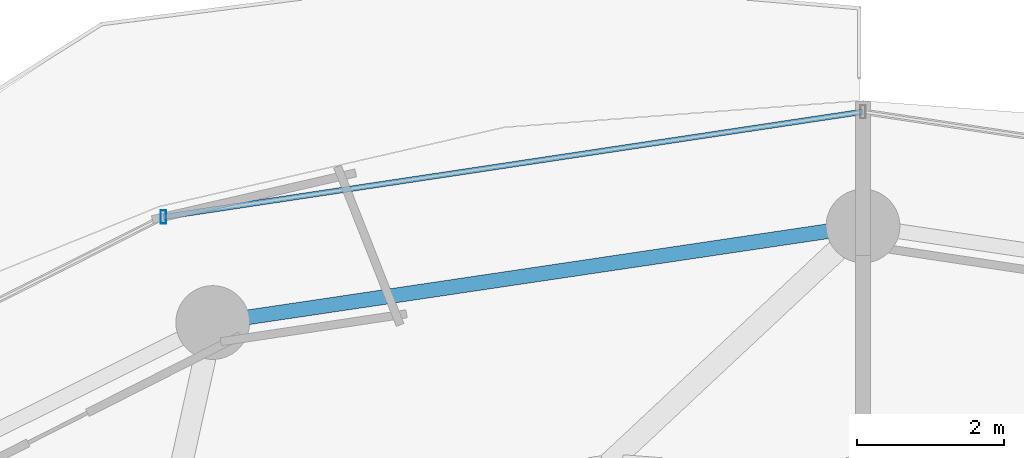
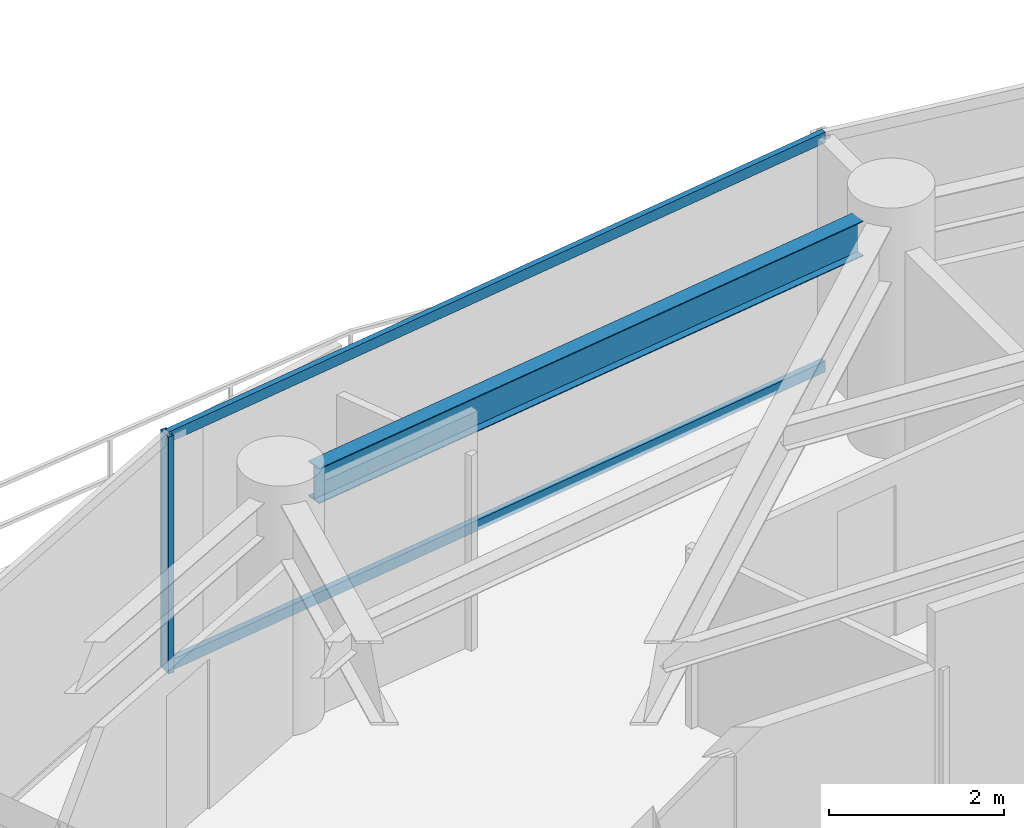
# One storey, part 18 of 31: 3 members, 1 beam, 1 element without a shape of its own.
"""IFC4 building model written with IfcOpenShell, lengths in metres."""

from ifc_helpers import new_model, si_unit, direction, frame, origin, origin_2d, place, context, subcontext, project, spatial, hollow_rectangle, i_section, extrude, material, material_profile, profile_set, type_object, element, aggregate, save


model = new_model("IFC4")

# Units and contexts
model_context = context("Model", 3, precision=1e-05, world=origin(), true_north=direction((0.0, 1.0)))
body_context = subcontext(model_context, "Body", "Model", "MODEL_VIEW")
ifc_project = project(units=[si_unit("LENGTHUNIT", "METRE"), si_unit("AREAUNIT", "SQUARE_METRE"), si_unit("VOLUMEUNIT", "CUBIC_METRE"), si_unit("PLANEANGLEUNIT", "RADIAN"), si_unit("MASSUNIT", "GRAM", prefix="KILO")], contexts=[model_context])

# Site, building, storey
site_placement = place(None, origin())
site = spatial("IfcSite", under=ifc_project, at=site_placement, CompositionType="ELEMENT")
building_placement = place(site_placement, origin())
building = spatial("IfcBuilding", under=site, at=building_placement, Name="Vorneva Point Tower", CompositionType="ELEMENT")
storey_placement = place(building_placement, frame((0.0, 0.0, 129.10009765625)))
storey = spatial("IfcBuildingStorey", under=building, at=storey_placement, Name="L34", CompositionType="ELEMENT", Elevation=129.10009765625)

# Beam
ifc_material_1 = material(Name="Steel S355", Category="steel")
ifc_material_profile_1 = material_profile(ifc_material_1, i_section(OverallWidth=0.199951171875, OverallDepth=0.491943359375, WebThickness=0.0087890625, FlangeThickness=0.011962890625, at=origin_2d()), Name="50B1")
ifc_profile_set_1 = profile_set([ifc_material_profile_1], Name="Steel S355")
beam_type = type_object("IfcBeamType", Name="BM-SPN-50B1", PredefinedType="SPANDREL", material=ifc_profile_set_1)
beam_placement = place(storey_placement, frame((37.520263671875, 43.12890625, 2.993896484375), z_axis=(-0.989161199046, -0.146833655211, 0.0), x_axis=(0.146833655211, -0.989161199046, 0.0)))
element("IfcBeam", 1, at=beam_placement, inside=storey, type_object=beam_type, Name="L34 Perimeter Spandrel Ring Beam 05", PredefinedType="SPANDREL", context=body_context, shape_type="SweptSolid", body=[
    extrude(i_section(OverallWidth=0.199951171875, OverallDepth=0.491943359375, WebThickness=0.0087890625, FlangeThickness=0.011962890625, at=origin_2d()), origin(), (0.0, 0.0, 1.0), 7.94775390625),
])

# Curtain wall, members
ifc_material_2 = material(Name="Pale anodised aluminium", Category="aluminium")
curtain_wall_type = type_object("IfcCurtainWallType", Name="CW-RES-SYS", PredefinedType="NOTDEFINED", material=ifc_material_2)
curtain_wall_placement = place(storey_placement, origin())
curtain_wall = element("IfcCurtainWall", 2, at=curtain_wall_placement, inside=storey, type_object=curtain_wall_type, Name="L34 Unitised Curtain Wall CW-L34-R02", PredefinedType="NOTDEFINED")
ifc_material_profile_2 = material_profile(ifc_material_2, hollow_rectangle(XDim=0.074951171875, YDim=0.179931640625, WallThickness=0.00390625, at=origin_2d()), Name="AL-MUL 180x75x4")
ifc_profile_set_2 = profile_set([ifc_material_profile_2], Name="Pale anodised aluminium")
member_type_1 = type_object("IfcMemberType", Name="CW-MUL-180", PredefinedType="MULLION", material=ifc_profile_set_2)
member_1_placement = place(storey_placement, frame((28.509521484375, 43.32275390625, -0.0400390625), z_axis=(0.0, 0.0, 1.0), x_axis=(1.0, 0.0, 0.0)))
member_1 = element("IfcMember", 3, at=member_1_placement, type_object=member_type_1, Name="CW-L34-R02 Mullion 04", PredefinedType="MULLION", context=body_context, shape_type="SweptSolid", body=[
    extrude(hollow_rectangle(XDim=0.074951171875, YDim=0.179931640625, WallThickness=0.00390625, at=origin_2d()), origin(), (0.0, 0.0, 1.0), 3.31005859375),
])
ifc_material_profile_3 = material_profile(ifc_material_2, hollow_rectangle(XDim=0.074951171875, YDim=0.14990234375, WallThickness=0.00390625, at=origin_2d()), Name="AL-TRN 150x75x4")
ifc_profile_set_3 = profile_set([ifc_material_profile_3], Name="Pale anodised aluminium")
member_type_2 = type_object("IfcMemberType", Name="CW-TRN-150", PredefinedType="USERDEFINED", material=ifc_profile_set_3)
member_2_placement = place(storey_placement, frame((38.0, 44.75, 0.02001953125), z_axis=(-0.988880117727, -0.148714870687, 0.0), x_axis=(0.148714870687, -0.988880117727, 0.0)))
member_2 = element("IfcMember", 4, at=member_2_placement, type_object=member_type_2, Name="CW-L34-R02 Transom 03.1", ObjectType="TRANSOM", PredefinedType="USERDEFINED", context=body_context, shape_type="SweptSolid", body=[
    extrude(hollow_rectangle(XDim=0.074951171875, YDim=0.14990234375, WallThickness=0.00390625, at=origin_2d()), origin(), (0.0, 0.0, 1.0), 9.59716796875),
])
member_3_placement = place(storey_placement, frame((38.0, 44.75, 3.219970703125), z_axis=(-0.988880117727, -0.148714870687, 0.0), x_axis=(0.148714870687, -0.988880117727, 0.0)))
member_3 = element("IfcMember", 5, at=member_3_placement, type_object=member_type_2, Name="CW-L34-R02 Transom 03.2", ObjectType="TRANSOM", PredefinedType="USERDEFINED", context=body_context, shape_type="SweptSolid", body=[
    extrude(hollow_rectangle(XDim=0.074951171875, YDim=0.14990234375, WallThickness=0.00390625, at=origin_2d()), origin(), (0.0, 0.0, 1.0), 9.59716796875),
])
aggregate(curtain_wall, [member_1, member_2, member_3])

save(model, "model.ifc")
